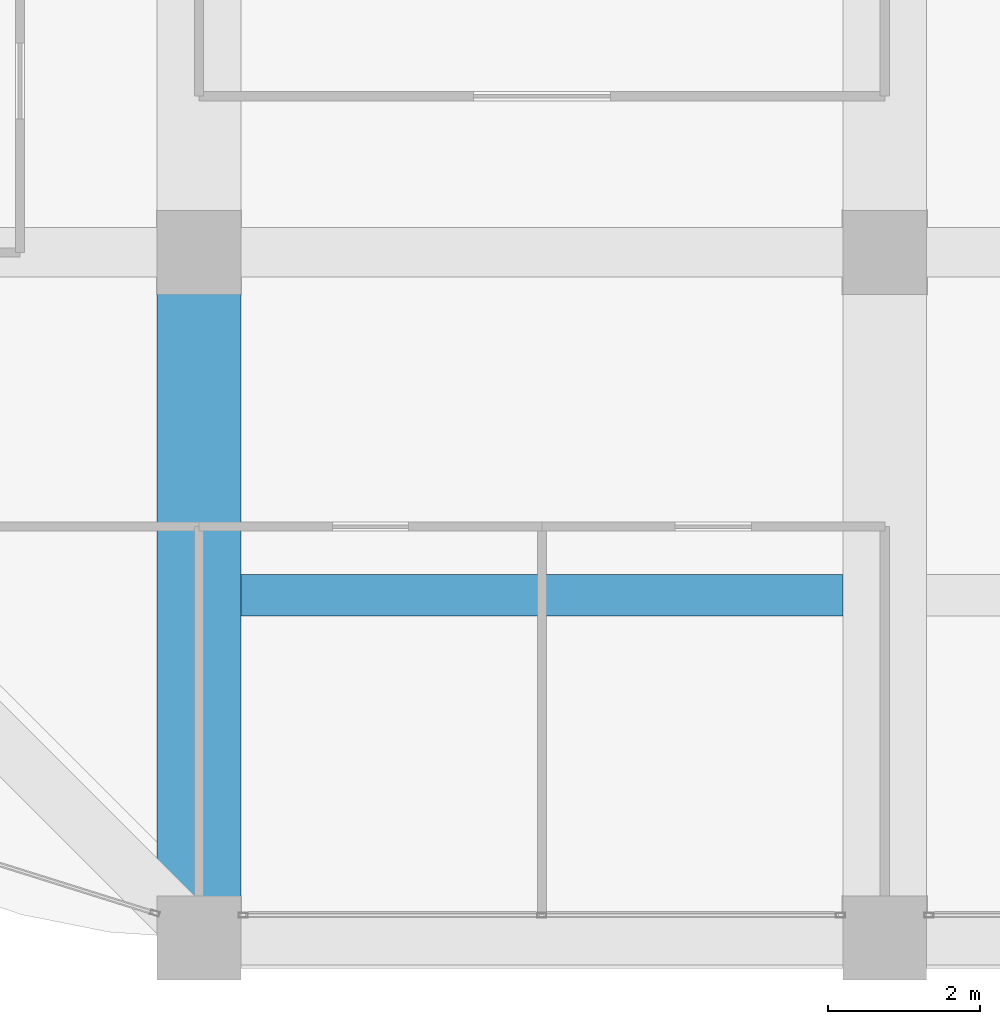
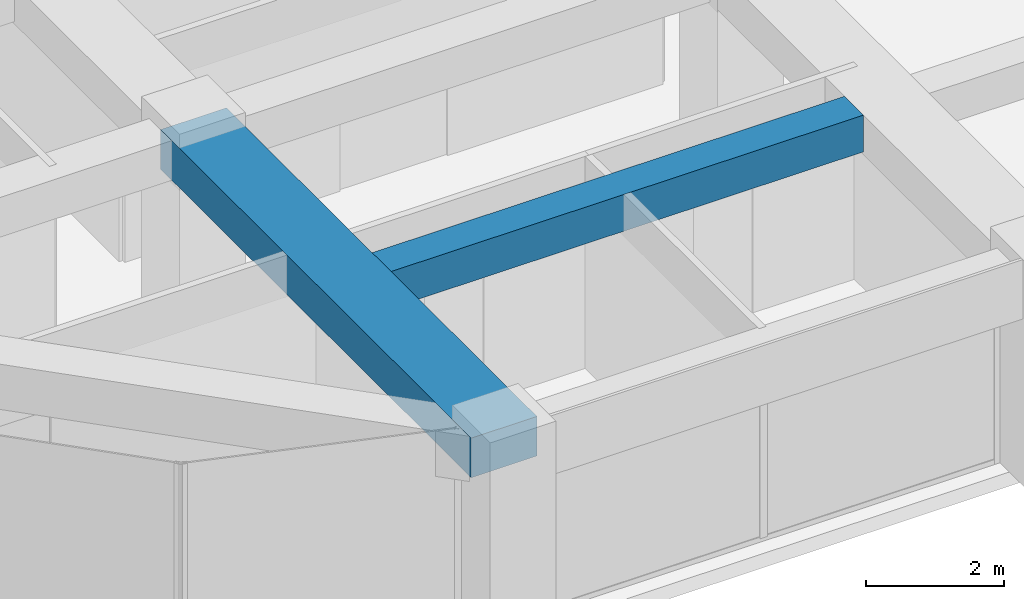
# One storey, part 5 of 44: 2 beams.
"""IFC4 building model written with IfcOpenShell, lengths in metres."""

from ifc_helpers import new_model, si_unit, direction, frame, origin, origin_2d, place, context, subcontext, project, spatial, rectangle, extrude, material, material_profile, profile_set, type_object, element, save


model = new_model("IFC4")

# Units and contexts
model_context = context("Model", 3, precision=1e-05, world=origin(), true_north=direction((0.0, 1.0)))
body_context = subcontext(model_context, "Body", "Model", "MODEL_VIEW")
ifc_project = project(units=[si_unit("LENGTHUNIT", "METRE"), si_unit("AREAUNIT", "SQUARE_METRE"), si_unit("VOLUMEUNIT", "CUBIC_METRE"), si_unit("PLANEANGLEUNIT", "RADIAN"), si_unit("MASSUNIT", "GRAM", prefix="KILO")], contexts=[model_context])

# Site, building, storey
site_placement = place(None, origin())
site = spatial("IfcSite", under=ifc_project, at=site_placement, CompositionType="ELEMENT")
building_placement = place(site_placement, origin())
building = spatial("IfcBuilding", under=site, at=building_placement, Name="Zorevar Civic Tower", CompositionType="ELEMENT")
storey_placement = place(building_placement, frame((0.0, 0.0, 259.39990234375)))
storey = spatial("IfcBuildingStorey", under=building, at=storey_placement, Name="L63", CompositionType="ELEMENT", Elevation=259.39990234375)

# Beams
ifc_material_1 = material(Name="Concrete C50/60", Category="concrete")
ifc_material_profile_1 = material_profile(ifc_material_1, rectangle(XDim=1.10009765625, YDim=0.699951171875, at=origin_2d()), Name="RC 1100x700")
ifc_profile_set_1 = profile_set([ifc_material_profile_1], Name="Concrete C50/60")
beam_type_1 = type_object("IfcBeamType", Name="Beam RC 1100x700", PredefinedType="BEAM", material=ifc_profile_set_1)
beam_1_placement = place(storey_placement, frame((18.0, 0.0, 3.400146484375), z_axis=(0.0, 1.0, 0.0), x_axis=(-1.0, 0.0, 0.0)))
element("IfcBeam", 1, at=beam_1_placement, inside=storey, type_object=beam_type_1, Name="Girder L64", PredefinedType="BEAM", context=body_context, shape_type="SweptSolid", body=[
    extrude(rectangle(XDim=1.10009765625, YDim=0.699951171875, at=origin_2d()), origin(), (0.0, 0.0, 1.0), 9.0),
])
ifc_material_2 = material(Name="Concrete C50/60", Category="concrete")
ifc_material_profile_2 = material_profile(ifc_material_2, rectangle(XDim=0.550048828125, YDim=0.64990234375, at=origin_2d()), Name="RC 550x650")
ifc_profile_set_2 = profile_set([ifc_material_profile_2], Name="Concrete C50/60")
beam_type_2 = type_object("IfcBeamType", Name="Beam RC 550x650", PredefinedType="BEAM", material=ifc_profile_set_2)
beam_2_placement = place(storey_placement, frame((18.550048828125, 4.5, 3.425048828125), z_axis=(1.0, 0.0, 0.0), x_axis=(0.0, 1.0, 0.0)))
element("IfcBeam", 2, at=beam_2_placement, inside=storey, type_object=beam_type_2, Name="Secondary beam L64", PredefinedType="BEAM", context=body_context, shape_type="SweptSolid", body=[
    extrude(rectangle(XDim=0.550048828125, YDim=0.64990234375, at=origin_2d()), origin(), (0.0, 0.0, 1.0), 7.89990234375),
])

save(model, "model.ifc")
